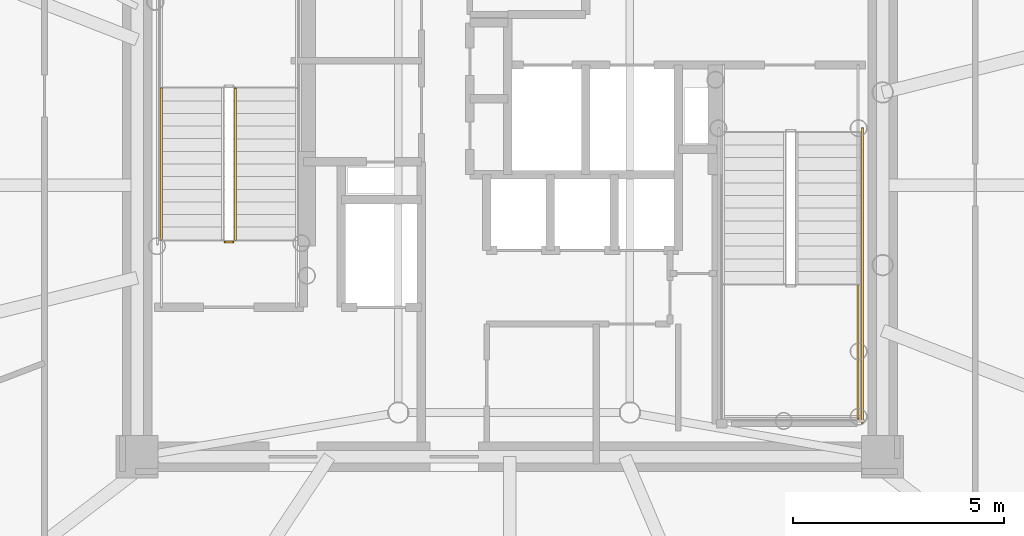
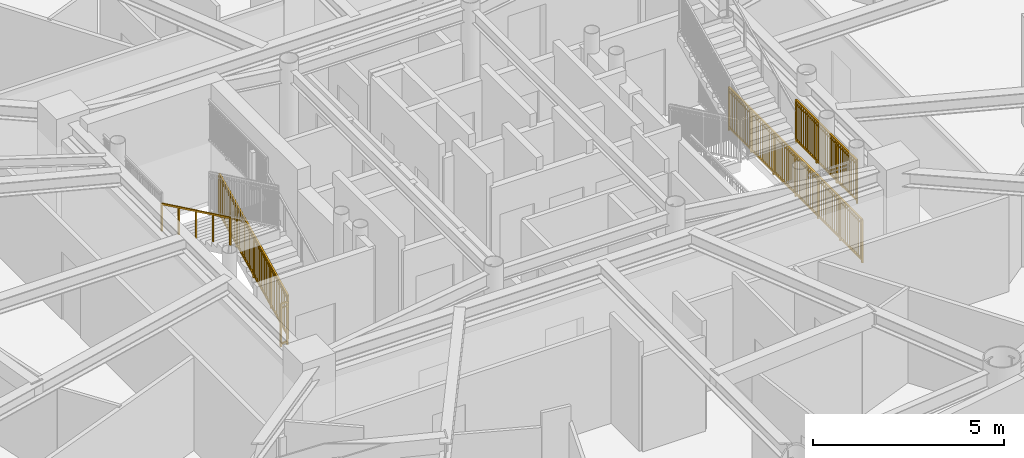
# One storey, part 15 of 20: 5 railings.
"""IFC4 building model written with IfcOpenShell, lengths in metres."""

from ifc_helpers import new_model, si_unit, direction, frame, origin, origin_2d, place, context, subcontext, project, spatial, rectangle, extrude, source, transform, mapped, material, type_object, element, save


model = new_model("IFC4")

# Units and contexts
model_context = context("Model", 3, precision=1e-05, world=origin(), true_north=direction((0.0, 1.0)))
body_context = subcontext(model_context, "Body", "Model", "MODEL_VIEW")
ifc_project = project(units=[si_unit("LENGTHUNIT", "METRE"), si_unit("AREAUNIT", "SQUARE_METRE"), si_unit("VOLUMEUNIT", "CUBIC_METRE"), si_unit("PLANEANGLEUNIT", "RADIAN"), si_unit("MASSUNIT", "GRAM", prefix="KILO")], contexts=[model_context])

# Site, building, storey
site_placement = place(None, origin())
site = spatial("IfcSite", under=ifc_project, at=site_placement, CompositionType="ELEMENT")
building_placement = place(site_placement, origin())
building = spatial("IfcBuilding", under=site, at=building_placement, Name="Linh Dai School and Residence Tower", CompositionType="ELEMENT")
storey_placement = place(building_placement, frame((0.0, 0.0, 288.0)))
storey = spatial("IfcBuildingStorey", under=building, at=storey_placement, Name="L71", CompositionType="ELEMENT", Elevation=288.0)

# Railings
ifc_material_1 = material(Name="Structural Steel S355JR", Category="steel")
railing_type_1 = type_object("IfcRailingType", Name="RL-ST-GUARD-1400", PredefinedType="GUARDRAIL", material=ifc_material_1)
shared_shape_1 = source(origin(), body_context, "Body", "SweptSolid", [
    extrude(rectangle(XDim=0.048095703125, YDim=0.048095703125, at=origin_2d()), frame((0.0, 0.0, 1.3759765625), z_axis=(-1.0, 0.0, 0.0), x_axis=(0.0, -1.0, 0.0)), (0.0, 0.0, 1.0), 0.199951171875),
    extrude(rectangle(XDim=0.048095703125, YDim=0.048095703125, at=origin_2d()), frame((0.0, 0.0, 0.10009765625), z_axis=(-1.0, 0.0, 0.0), x_axis=(0.0, -1.0, 0.0)), (0.0, 0.0, 1.0), 0.199951171875),
    extrude(rectangle(XDim=0.030029296875, YDim=0.030029296875, at=origin_2d()), frame((0.0, 0.0, 1.239990234375), z_axis=(-1.0, 0.0, 0.0), x_axis=(0.0, -1.0, 0.0)), (0.0, 0.0, 1.0), 0.199951171875),
    extrude(rectangle(XDim=0.0419921875, YDim=0.0419921875, at=origin_2d()), origin(), (0.0, 0.0, 1.0), 1.3759765625),
    extrude(rectangle(XDim=0.0419921875, YDim=0.0419921875, at=origin_2d()), frame((-0.199951171875, 0.0, 0.0)), (0.0, 0.0, 1.0), 1.3759765625),
])
railing_1_placement = place(storey_placement, frame((29.429931640625, 25.64990234375, 0.0)))
element("IfcRailing", 1, at=railing_1_placement, inside=storey, type_object=railing_type_1, Name="L71 ST1 stair guard 7", PredefinedType="GUARDRAIL", context=body_context, shape_type="MappedRepresentation", body=[
    mapped(shared_shape_1, transform((0.0, 0.0, 0.0), x_axis=(1.0, 0.0, 0.0), y_axis=(0.0, 1.0, 0.0), z_axis=(0.0, 0.0, 1.0), scale=1.0)),
])
shared_shape_2 = source(origin(), body_context, "Body", "SweptSolid", [
    extrude(rectangle(XDim=0.048095703125, YDim=0.048095703125, at=origin_2d()), frame((0.0, 0.0, 1.3759765625), z_axis=(0.0, 0.901262522062, 0.433273431364), x_axis=(-1.0, 0.0, 0.0)), (0.0, 0.0, 1.0), 3.994384765625),
    extrude(rectangle(XDim=0.048095703125, YDim=0.048095703125, at=origin_2d()), frame((0.0, 0.0, 0.10009765625), z_axis=(0.0, 0.901262522062, 0.433273431364), x_axis=(-1.0, 0.0, 0.0)), (0.0, 0.0, 1.0), 3.994384765625),
    extrude(rectangle(XDim=0.030029296875, YDim=0.030029296875, at=origin_2d()), frame((0.0, 0.0, 1.239990234375), z_axis=(0.0, 0.901262522062, 0.433273431364), x_axis=(-1.0, 0.0, 0.0)), (0.0, 0.0, 1.0), 3.994384765625),
    extrude(rectangle(XDim=0.02001953125, YDim=0.02001953125, at=origin_2d()), frame((0.0, 0.087890625, 0.142333984375)), (0.0, 0.0, 1.0), 1.251708984375),
    extrude(rectangle(XDim=0.02001953125, YDim=0.02001953125, at=origin_2d()), frame((0.0, 0.175537109375, 0.1845703125)), (0.0, 0.0, 1.0), 1.251708984375),
    extrude(rectangle(XDim=0.02001953125, YDim=0.02001953125, at=origin_2d()), frame((0.0, 0.263427734375, 0.226806640625)), (0.0, 0.0, 1.0), 1.251708984375),
    extrude(rectangle(XDim=0.02001953125, YDim=0.02001953125, at=origin_2d()), frame((0.0, 0.351318359375, 0.26904296875)), (0.0, 0.0, 1.0), 1.251708984375),
    extrude(rectangle(XDim=0.02001953125, YDim=0.02001953125, at=origin_2d()), frame((0.0, 0.43896484375, 0.311279296875)), (0.0, 0.0, 1.0), 1.251708984375),
    extrude(rectangle(XDim=0.02001953125, YDim=0.02001953125, at=origin_2d()), frame((0.0, 0.52685546875, 0.353271484375)), (0.0, 0.0, 1.0), 1.251708984375),
    extrude(rectangle(XDim=0.02001953125, YDim=0.02001953125, at=origin_2d()), frame((0.0, 0.61474609375, 0.3955078125)), (0.0, 0.0, 1.0), 1.251708984375),
    extrude(rectangle(XDim=0.02001953125, YDim=0.02001953125, at=origin_2d()), frame((0.0, 0.702392578125, 0.437744140625)), (0.0, 0.0, 1.0), 1.251708984375),
    extrude(rectangle(XDim=0.02001953125, YDim=0.02001953125, at=origin_2d()), frame((0.0, 0.790283203125, 0.47998046875)), (0.0, 0.0, 1.0), 1.251708984375),
    extrude(rectangle(XDim=0.02001953125, YDim=0.02001953125, at=origin_2d()), frame((0.0, 0.9658203125, 0.564453125)), (0.0, 0.0, 1.0), 1.251708984375),
    extrude(rectangle(XDim=0.02001953125, YDim=0.02001953125, at=origin_2d()), frame((0.0, 1.0537109375, 0.606689453125)), (0.0, 0.0, 1.0), 1.251708984375),
    extrude(rectangle(XDim=0.02001953125, YDim=0.02001953125, at=origin_2d()), frame((0.0, 1.1416015625, 0.64892578125)), (0.0, 0.0, 1.0), 1.251708984375),
    extrude(rectangle(XDim=0.02001953125, YDim=0.02001953125, at=origin_2d()), frame((0.0, 1.229248046875, 0.691162109375)), (0.0, 0.0, 1.0), 1.251708984375),
    extrude(rectangle(XDim=0.02001953125, YDim=0.02001953125, at=origin_2d()), frame((0.0, 1.317138671875, 0.7333984375)), (0.0, 0.0, 1.0), 1.251708984375),
    extrude(rectangle(XDim=0.02001953125, YDim=0.02001953125, at=origin_2d()), frame((0.0, 1.405029296875, 0.775390625)), (0.0, 0.0, 1.0), 1.251708984375),
    extrude(rectangle(XDim=0.02001953125, YDim=0.02001953125, at=origin_2d()), frame((0.0, 1.49267578125, 0.817626953125)), (0.0, 0.0, 1.0), 1.251708984375),
    extrude(rectangle(XDim=0.02001953125, YDim=0.02001953125, at=origin_2d()), frame((0.0, 1.58056640625, 0.85986328125)), (0.0, 0.0, 1.0), 1.251708984375),
    extrude(rectangle(XDim=0.02001953125, YDim=0.02001953125, at=origin_2d()), frame((0.0, 1.66845703125, 0.902099609375)), (0.0, 0.0, 1.0), 1.251708984375),
    extrude(rectangle(XDim=0.02001953125, YDim=0.02001953125, at=origin_2d()), frame((0.0, 1.756103515625, 0.9443359375)), (0.0, 0.0, 1.0), 1.251708984375),
    extrude(rectangle(XDim=0.02001953125, YDim=0.02001953125, at=origin_2d()), frame((0.0, 1.843994140625, 0.986572265625)), (0.0, 0.0, 1.0), 1.251708984375),
    extrude(rectangle(XDim=0.02001953125, YDim=0.02001953125, at=origin_2d()), frame((0.0, 1.931640625, 1.02880859375)), (0.0, 0.0, 1.0), 1.251708984375),
    extrude(rectangle(XDim=0.02001953125, YDim=0.02001953125, at=origin_2d()), frame((0.0, 2.01953125, 1.071044921875)), (0.0, 0.0, 1.0), 1.251708984375),
    extrude(rectangle(XDim=0.02001953125, YDim=0.02001953125, at=origin_2d()), frame((0.0, 2.107421875, 1.11328125)), (0.0, 0.0, 1.0), 1.251708984375),
    extrude(rectangle(XDim=0.02001953125, YDim=0.02001953125, at=origin_2d()), frame((0.0, 2.195068359375, 1.155517578125)), (0.0, 0.0, 1.0), 1.251708984375),
    extrude(rectangle(XDim=0.02001953125, YDim=0.02001953125, at=origin_2d()), frame((0.0, 2.282958984375, 1.197509765625)), (0.0, 0.0, 1.0), 1.251708984375),
    extrude(rectangle(XDim=0.02001953125, YDim=0.02001953125, at=origin_2d()), frame((0.0, 2.370849609375, 1.23974609375)), (0.0, 0.0, 1.0), 1.251708984375),
    extrude(rectangle(XDim=0.02001953125, YDim=0.02001953125, at=origin_2d()), frame((0.0, 2.45849609375, 1.281982421875)), (0.0, 0.0, 1.0), 1.251708984375),
    extrude(rectangle(XDim=0.02001953125, YDim=0.02001953125, at=origin_2d()), frame((0.0, 2.54638671875, 1.32421875)), (0.0, 0.0, 1.0), 1.251708984375),
    extrude(rectangle(XDim=0.02001953125, YDim=0.02001953125, at=origin_2d()), frame((0.0, 2.63427734375, 1.366455078125)), (0.0, 0.0, 1.0), 1.251708984375),
    extrude(rectangle(XDim=0.02001953125, YDim=0.02001953125, at=origin_2d()), frame((0.0, 2.809814453125, 1.450927734375)), (0.0, 0.0, 1.0), 1.251708984375),
    extrude(rectangle(XDim=0.02001953125, YDim=0.02001953125, at=origin_2d()), frame((0.0, 2.897705078125, 1.4931640625)), (0.0, 0.0, 1.0), 1.251708984375),
    extrude(rectangle(XDim=0.02001953125, YDim=0.02001953125, at=origin_2d()), frame((0.0, 2.9853515625, 1.535400390625)), (0.0, 0.0, 1.0), 1.251708984375),
    extrude(rectangle(XDim=0.02001953125, YDim=0.02001953125, at=origin_2d()), frame((0.0, 3.0732421875, 1.57763671875)), (0.0, 0.0, 1.0), 1.251708984375),
    extrude(rectangle(XDim=0.02001953125, YDim=0.02001953125, at=origin_2d()), frame((0.0, 3.1611328125, 1.61962890625)), (0.0, 0.0, 1.0), 1.251708984375),
    extrude(rectangle(XDim=0.02001953125, YDim=0.02001953125, at=origin_2d()), frame((0.0, 3.248779296875, 1.661865234375)), (0.0, 0.0, 1.0), 1.251708984375),
    extrude(rectangle(XDim=0.02001953125, YDim=0.02001953125, at=origin_2d()), frame((0.0, 3.336669921875, 1.7041015625)), (0.0, 0.0, 1.0), 1.251708984375),
    extrude(rectangle(XDim=0.02001953125, YDim=0.02001953125, at=origin_2d()), frame((0.0, 3.424560546875, 1.746337890625)), (0.0, 0.0, 1.0), 1.251708984375),
    extrude(rectangle(XDim=0.02001953125, YDim=0.02001953125, at=origin_2d()), frame((0.0, 3.51220703125, 1.78857421875)), (0.0, 0.0, 1.0), 1.251708984375),
    extrude(rectangle(XDim=0.0419921875, YDim=0.0419921875, at=origin_2d()), origin(), (0.0, 0.0, 1.0), 1.3759765625),
    extrude(rectangle(XDim=0.0419921875, YDim=0.0419921875, at=origin_2d()), frame((0.0, 0.89990234375, 0.4326171875)), (0.0, 0.0, 1.0), 1.3759765625),
    extrude(rectangle(XDim=0.0419921875, YDim=0.0419921875, at=origin_2d()), frame((0.0, 1.800048828125, 0.865234375)), (0.0, 0.0, 1.0), 1.3759765625),
    extrude(rectangle(XDim=0.0419921875, YDim=0.0419921875, at=origin_2d()), frame((0.0, 2.7001953125, 1.298095703125)), (0.0, 0.0, 1.0), 1.3759765625),
    extrude(rectangle(XDim=0.0419921875, YDim=0.0419921875, at=origin_2d()), frame((0.0, 3.60009765625, 1.730712890625)), (0.0, 0.0, 1.0), 1.3759765625),
])
railing_2_placement = place(storey_placement, frame((29.47998046875, 25.699951171875, 0.144287109375)))
element("IfcRailing", 2, at=railing_2_placement, inside=storey, type_object=railing_type_1, Name="L71 ST1 stair guard 1", PredefinedType="GUARDRAIL", context=body_context, shape_type="MappedRepresentation", body=[
    mapped(shared_shape_2, transform((0.0, 0.0, 0.0), x_axis=(1.0, 0.0, 0.0), y_axis=(0.0, 1.0, 0.0), z_axis=(0.0, 0.0, 1.0), scale=1.0)),
])
ifc_material_2 = material(Name="Brushed Stainless Steel Handrail", Category="steel")
railing_type_2 = type_object("IfcRailingType", Name="RL-ST-HANDRAIL-900", PredefinedType="HANDRAIL", material=ifc_material_2)
shared_shape_3 = source(origin(), body_context, "Body", "SweptSolid", [
    extrude(rectangle(XDim=0.048095703125, YDim=0.048095703125, at=origin_2d()), frame((0.0, 0.0, 0.8759765625), z_axis=(0.0, -0.901262522062, 0.433273431364), x_axis=(1.0, 0.0, 0.0)), (0.0, 0.0, 1.0), 3.994384765625),
    extrude(rectangle(XDim=0.0419921875, YDim=0.0419921875, at=origin_2d()), origin(), (0.0, 0.0, 1.0), 0.8759765625),
    extrude(rectangle(XDim=0.0419921875, YDim=0.0419921875, at=origin_2d()), frame((0.0, -0.89990234375, 0.4326171875)), (0.0, 0.0, 1.0), 0.8759765625),
    extrude(rectangle(XDim=0.0419921875, YDim=0.0419921875, at=origin_2d()), frame((0.0, -1.800048828125, 0.865234375)), (0.0, 0.0, 1.0), 0.8759765625),
    extrude(rectangle(XDim=0.0419921875, YDim=0.0419921875, at=origin_2d()), frame((0.0, -2.7001953125, 1.298095703125)), (0.0, 0.0, 1.0), 0.8759765625),
    extrude(rectangle(XDim=0.0419921875, YDim=0.0419921875, at=origin_2d()), frame((0.0, -3.60009765625, 1.730712890625)), (0.0, 0.0, 1.0), 0.8759765625),
])
railing_3_placement = place(storey_placement, frame((27.72998046875, 29.300048828125, 2.019287109375)))
element("IfcRailing", 3, at=railing_3_placement, inside=storey, type_object=railing_type_2, Name="L71 ST1 stair handrail 2", PredefinedType="HANDRAIL", context=body_context, shape_type="MappedRepresentation", body=[
    mapped(shared_shape_3, transform((0.0, 0.0, 0.0), x_axis=(1.0, 0.0, 0.0), y_axis=(0.0, 1.0, 0.0), z_axis=(0.0, 0.0, 1.0), scale=1.0)),
])
shared_shape_4 = source(origin(), body_context, "Body", "SweptSolid", [
    extrude(rectangle(XDim=0.048095703125, YDim=0.048095703125, at=origin_2d()), frame((0.0, 0.0, 1.3759765625), z_axis=(0.0, -1.0, 0.0), x_axis=(1.0, 0.0, 0.0)), (0.0, 0.0, 1.0), 7.0),
    extrude(rectangle(XDim=0.048095703125, YDim=0.048095703125, at=origin_2d()), frame((0.0, 0.0, 0.10009765625), z_axis=(0.0, -1.0, 0.0), x_axis=(1.0, 0.0, 0.0)), (0.0, 0.0, 1.0), 7.0),
    extrude(rectangle(XDim=0.030029296875, YDim=0.030029296875, at=origin_2d()), frame((0.0, 0.0, 1.239990234375), z_axis=(0.0, -1.0, 0.0), x_axis=(1.0, 0.0, 0.0)), (0.0, 0.0, 1.0), 7.0),
    extrude(rectangle(XDim=0.02001953125, YDim=0.02001953125, at=origin_2d()), frame((0.0, -0.09716796875, 0.10009765625)), (0.0, 0.0, 1.0), 1.251708984375),
    extrude(rectangle(XDim=0.02001953125, YDim=0.02001953125, at=origin_2d()), frame((0.0, -0.1943359375, 0.10009765625)), (0.0, 0.0, 1.0), 1.251708984375),
    extrude(rectangle(XDim=0.02001953125, YDim=0.02001953125, at=origin_2d()), frame((0.0, -0.291748046875, 0.10009765625)), (0.0, 0.0, 1.0), 1.251708984375),
    extrude(rectangle(XDim=0.02001953125, YDim=0.02001953125, at=origin_2d()), frame((0.0, -0.388916015625, 0.10009765625)), (0.0, 0.0, 1.0), 1.251708984375),
    extrude(rectangle(XDim=0.02001953125, YDim=0.02001953125, at=origin_2d()), frame((0.0, -0.486083984375, 0.10009765625)), (0.0, 0.0, 1.0), 1.251708984375),
    extrude(rectangle(XDim=0.02001953125, YDim=0.02001953125, at=origin_2d()), frame((0.0, -0.583251953125, 0.10009765625)), (0.0, 0.0, 1.0), 1.251708984375),
    extrude(rectangle(XDim=0.02001953125, YDim=0.02001953125, at=origin_2d()), frame((0.0, -0.6806640625, 0.10009765625)), (0.0, 0.0, 1.0), 1.251708984375),
    extrude(rectangle(XDim=0.02001953125, YDim=0.02001953125, at=origin_2d()), frame((0.0, -0.77783203125, 0.10009765625)), (0.0, 0.0, 1.0), 1.251708984375),
    extrude(rectangle(XDim=0.02001953125, YDim=0.02001953125, at=origin_2d()), frame((0.0, -0.875, 0.10009765625)), (0.0, 0.0, 1.0), 1.251708984375),
    extrude(rectangle(XDim=0.02001953125, YDim=0.02001953125, at=origin_2d()), frame((0.0, -0.97216796875, 0.10009765625)), (0.0, 0.0, 1.0), 1.251708984375),
    extrude(rectangle(XDim=0.02001953125, YDim=0.02001953125, at=origin_2d()), frame((0.0, -1.0693359375, 0.10009765625)), (0.0, 0.0, 1.0), 1.251708984375),
    extrude(rectangle(XDim=0.02001953125, YDim=0.02001953125, at=origin_2d()), frame((0.0, -1.263916015625, 0.10009765625)), (0.0, 0.0, 1.0), 1.251708984375),
    extrude(rectangle(XDim=0.02001953125, YDim=0.02001953125, at=origin_2d()), frame((0.0, -1.361083984375, 0.10009765625)), (0.0, 0.0, 1.0), 1.251708984375),
    extrude(rectangle(XDim=0.02001953125, YDim=0.02001953125, at=origin_2d()), frame((0.0, -1.458251953125, 0.10009765625)), (0.0, 0.0, 1.0), 1.251708984375),
    extrude(rectangle(XDim=0.02001953125, YDim=0.02001953125, at=origin_2d()), frame((0.0, -1.5556640625, 0.10009765625)), (0.0, 0.0, 1.0), 1.251708984375),
    extrude(rectangle(XDim=0.02001953125, YDim=0.02001953125, at=origin_2d()), frame((0.0, -1.65283203125, 0.10009765625)), (0.0, 0.0, 1.0), 1.251708984375),
    extrude(rectangle(XDim=0.02001953125, YDim=0.02001953125, at=origin_2d()), frame((0.0, -1.75, 0.10009765625)), (0.0, 0.0, 1.0), 1.251708984375),
    extrude(rectangle(XDim=0.02001953125, YDim=0.02001953125, at=origin_2d()), frame((0.0, -1.84716796875, 0.10009765625)), (0.0, 0.0, 1.0), 1.251708984375),
    extrude(rectangle(XDim=0.02001953125, YDim=0.02001953125, at=origin_2d()), frame((0.0, -1.9443359375, 0.10009765625)), (0.0, 0.0, 1.0), 1.251708984375),
    extrude(rectangle(XDim=0.02001953125, YDim=0.02001953125, at=origin_2d()), frame((0.0, -2.041748046875, 0.10009765625)), (0.0, 0.0, 1.0), 1.251708984375),
    extrude(rectangle(XDim=0.02001953125, YDim=0.02001953125, at=origin_2d()), frame((0.0, -2.138916015625, 0.10009765625)), (0.0, 0.0, 1.0), 1.251708984375),
    extrude(rectangle(XDim=0.02001953125, YDim=0.02001953125, at=origin_2d()), frame((0.0, -2.236083984375, 0.10009765625)), (0.0, 0.0, 1.0), 1.251708984375),
    extrude(rectangle(XDim=0.02001953125, YDim=0.02001953125, at=origin_2d()), frame((0.0, -2.4306640625, 0.10009765625)), (0.0, 0.0, 1.0), 1.251708984375),
    extrude(rectangle(XDim=0.02001953125, YDim=0.02001953125, at=origin_2d()), frame((0.0, -2.52783203125, 0.10009765625)), (0.0, 0.0, 1.0), 1.251708984375),
    extrude(rectangle(XDim=0.02001953125, YDim=0.02001953125, at=origin_2d()), frame((0.0, -2.625, 0.10009765625)), (0.0, 0.0, 1.0), 1.251708984375),
    extrude(rectangle(XDim=0.02001953125, YDim=0.02001953125, at=origin_2d()), frame((0.0, -2.72216796875, 0.10009765625)), (0.0, 0.0, 1.0), 1.251708984375),
    extrude(rectangle(XDim=0.02001953125, YDim=0.02001953125, at=origin_2d()), frame((0.0, -2.8193359375, 0.10009765625)), (0.0, 0.0, 1.0), 1.251708984375),
    extrude(rectangle(XDim=0.02001953125, YDim=0.02001953125, at=origin_2d()), frame((0.0, -2.916748046875, 0.10009765625)), (0.0, 0.0, 1.0), 1.251708984375),
    extrude(rectangle(XDim=0.02001953125, YDim=0.02001953125, at=origin_2d()), frame((0.0, -3.013916015625, 0.10009765625)), (0.0, 0.0, 1.0), 1.251708984375),
    extrude(rectangle(XDim=0.02001953125, YDim=0.02001953125, at=origin_2d()), frame((0.0, -3.111083984375, 0.10009765625)), (0.0, 0.0, 1.0), 1.251708984375),
    extrude(rectangle(XDim=0.02001953125, YDim=0.02001953125, at=origin_2d()), frame((0.0, -3.208251953125, 0.10009765625)), (0.0, 0.0, 1.0), 1.251708984375),
    extrude(rectangle(XDim=0.02001953125, YDim=0.02001953125, at=origin_2d()), frame((0.0, -3.3056640625, 0.10009765625)), (0.0, 0.0, 1.0), 1.251708984375),
    extrude(rectangle(XDim=0.02001953125, YDim=0.02001953125, at=origin_2d()), frame((0.0, -3.40283203125, 0.10009765625)), (0.0, 0.0, 1.0), 1.251708984375),
    extrude(rectangle(XDim=0.02001953125, YDim=0.02001953125, at=origin_2d()), frame((0.0, -3.59716796875, 0.10009765625)), (0.0, 0.0, 1.0), 1.251708984375),
    extrude(rectangle(XDim=0.02001953125, YDim=0.02001953125, at=origin_2d()), frame((0.0, -3.6943359375, 0.10009765625)), (0.0, 0.0, 1.0), 1.251708984375),
    extrude(rectangle(XDim=0.02001953125, YDim=0.02001953125, at=origin_2d()), frame((0.0, -3.791748046875, 0.10009765625)), (0.0, 0.0, 1.0), 1.251708984375),
    extrude(rectangle(XDim=0.02001953125, YDim=0.02001953125, at=origin_2d()), frame((0.0, -3.888916015625, 0.10009765625)), (0.0, 0.0, 1.0), 1.251708984375),
    extrude(rectangle(XDim=0.02001953125, YDim=0.02001953125, at=origin_2d()), frame((0.0, -3.986083984375, 0.10009765625)), (0.0, 0.0, 1.0), 1.251708984375),
    extrude(rectangle(XDim=0.02001953125, YDim=0.02001953125, at=origin_2d()), frame((0.0, -4.083251953125, 0.10009765625)), (0.0, 0.0, 1.0), 1.251708984375),
    extrude(rectangle(XDim=0.02001953125, YDim=0.02001953125, at=origin_2d()), frame((0.0, -4.1806640625, 0.10009765625)), (0.0, 0.0, 1.0), 1.251708984375),
    extrude(rectangle(XDim=0.02001953125, YDim=0.02001953125, at=origin_2d()), frame((0.0, -4.27783203125, 0.10009765625)), (0.0, 0.0, 1.0), 1.251708984375),
    extrude(rectangle(XDim=0.02001953125, YDim=0.02001953125, at=origin_2d()), frame((0.0, -4.375, 0.10009765625)), (0.0, 0.0, 1.0), 1.251708984375),
    extrude(rectangle(XDim=0.02001953125, YDim=0.02001953125, at=origin_2d()), frame((0.0, -4.47216796875, 0.10009765625)), (0.0, 0.0, 1.0), 1.251708984375),
    extrude(rectangle(XDim=0.02001953125, YDim=0.02001953125, at=origin_2d()), frame((0.0, -4.5693359375, 0.10009765625)), (0.0, 0.0, 1.0), 1.251708984375),
    extrude(rectangle(XDim=0.02001953125, YDim=0.02001953125, at=origin_2d()), frame((0.0, -4.763916015625, 0.10009765625)), (0.0, 0.0, 1.0), 1.251708984375),
    extrude(rectangle(XDim=0.02001953125, YDim=0.02001953125, at=origin_2d()), frame((0.0, -4.861083984375, 0.10009765625)), (0.0, 0.0, 1.0), 1.251708984375),
    extrude(rectangle(XDim=0.02001953125, YDim=0.02001953125, at=origin_2d()), frame((0.0, -4.958251953125, 0.10009765625)), (0.0, 0.0, 1.0), 1.251708984375),
    extrude(rectangle(XDim=0.02001953125, YDim=0.02001953125, at=origin_2d()), frame((0.0, -5.0556640625, 0.10009765625)), (0.0, 0.0, 1.0), 1.251708984375),
    extrude(rectangle(XDim=0.02001953125, YDim=0.02001953125, at=origin_2d()), frame((0.0, -5.15283203125, 0.10009765625)), (0.0, 0.0, 1.0), 1.251708984375),
    extrude(rectangle(XDim=0.02001953125, YDim=0.02001953125, at=origin_2d()), frame((0.0, -5.25, 0.10009765625)), (0.0, 0.0, 1.0), 1.251708984375),
    extrude(rectangle(XDim=0.02001953125, YDim=0.02001953125, at=origin_2d()), frame((0.0, -5.34716796875, 0.10009765625)), (0.0, 0.0, 1.0), 1.251708984375),
    extrude(rectangle(XDim=0.02001953125, YDim=0.02001953125, at=origin_2d()), frame((0.0, -5.4443359375, 0.10009765625)), (0.0, 0.0, 1.0), 1.251708984375),
    extrude(rectangle(XDim=0.02001953125, YDim=0.02001953125, at=origin_2d()), frame((0.0, -5.541748046875, 0.10009765625)), (0.0, 0.0, 1.0), 1.251708984375),
    extrude(rectangle(XDim=0.02001953125, YDim=0.02001953125, at=origin_2d()), frame((0.0, -5.638916015625, 0.10009765625)), (0.0, 0.0, 1.0), 1.251708984375),
    extrude(rectangle(XDim=0.02001953125, YDim=0.02001953125, at=origin_2d()), frame((0.0, -5.736083984375, 0.10009765625)), (0.0, 0.0, 1.0), 1.251708984375),
    extrude(rectangle(XDim=0.02001953125, YDim=0.02001953125, at=origin_2d()), frame((0.0, -5.9306640625, 0.10009765625)), (0.0, 0.0, 1.0), 1.251708984375),
    extrude(rectangle(XDim=0.02001953125, YDim=0.02001953125, at=origin_2d()), frame((0.0, -6.02783203125, 0.10009765625)), (0.0, 0.0, 1.0), 1.251708984375),
    extrude(rectangle(XDim=0.02001953125, YDim=0.02001953125, at=origin_2d()), frame((0.0, -6.125, 0.10009765625)), (0.0, 0.0, 1.0), 1.251708984375),
    extrude(rectangle(XDim=0.02001953125, YDim=0.02001953125, at=origin_2d()), frame((0.0, -6.22216796875, 0.10009765625)), (0.0, 0.0, 1.0), 1.251708984375),
    extrude(rectangle(XDim=0.02001953125, YDim=0.02001953125, at=origin_2d()), frame((0.0, -6.3193359375, 0.10009765625)), (0.0, 0.0, 1.0), 1.251708984375),
    extrude(rectangle(XDim=0.02001953125, YDim=0.02001953125, at=origin_2d()), frame((0.0, -6.416748046875, 0.10009765625)), (0.0, 0.0, 1.0), 1.251708984375),
    extrude(rectangle(XDim=0.02001953125, YDim=0.02001953125, at=origin_2d()), frame((0.0, -6.513916015625, 0.10009765625)), (0.0, 0.0, 1.0), 1.251708984375),
    extrude(rectangle(XDim=0.02001953125, YDim=0.02001953125, at=origin_2d()), frame((0.0, -6.611083984375, 0.10009765625)), (0.0, 0.0, 1.0), 1.251708984375),
    extrude(rectangle(XDim=0.02001953125, YDim=0.02001953125, at=origin_2d()), frame((0.0, -6.708251953125, 0.10009765625)), (0.0, 0.0, 1.0), 1.251708984375),
    extrude(rectangle(XDim=0.02001953125, YDim=0.02001953125, at=origin_2d()), frame((0.0, -6.8056640625, 0.10009765625)), (0.0, 0.0, 1.0), 1.251708984375),
    extrude(rectangle(XDim=0.02001953125, YDim=0.02001953125, at=origin_2d()), frame((0.0, -6.90283203125, 0.10009765625)), (0.0, 0.0, 1.0), 1.251708984375),
    extrude(rectangle(XDim=0.0419921875, YDim=0.0419921875, at=origin_2d()), origin(), (0.0, 0.0, 1.0), 1.3759765625),
    extrude(rectangle(XDim=0.0419921875, YDim=0.0419921875, at=origin_2d()), frame((0.0, -1.166748046875, 0.0)), (0.0, 0.0, 1.0), 1.3759765625),
    extrude(rectangle(XDim=0.0419921875, YDim=0.0419921875, at=origin_2d()), frame((0.0, -2.333251953125, 0.0)), (0.0, 0.0, 1.0), 1.3759765625),
    extrude(rectangle(XDim=0.0419921875, YDim=0.0419921875, at=origin_2d()), frame((0.0, -3.5, 0.0)), (0.0, 0.0, 1.0), 1.3759765625),
    extrude(rectangle(XDim=0.0419921875, YDim=0.0419921875, at=origin_2d()), frame((0.0, -4.666748046875, 0.0)), (0.0, 0.0, 1.0), 1.3759765625),
    extrude(rectangle(XDim=0.0419921875, YDim=0.0419921875, at=origin_2d()), frame((0.0, -5.833251953125, 0.0)), (0.0, 0.0, 1.0), 1.3759765625),
    extrude(rectangle(XDim=0.0419921875, YDim=0.0419921875, at=origin_2d()), frame((0.0, -7.0, 0.0)), (0.0, 0.0, 1.0), 1.3759765625),
])
railing_4_placement = place(storey_placement, frame((44.3701171875, 28.35009765625, 0.0)))
element("IfcRailing", 4, at=railing_4_placement, inside=storey, type_object=railing_type_1, Name="L71 ST2 stair guard 11", PredefinedType="GUARDRAIL", context=body_context, shape_type="MappedRepresentation", body=[
    mapped(shared_shape_4, transform((0.0, 0.0, 0.0), x_axis=(1.0, 0.0, 0.0), y_axis=(0.0, 1.0, 0.0), z_axis=(0.0, 0.0, 1.0), scale=1.0)),
])
shared_shape_5 = source(origin(), body_context, "Body", "SweptSolid", [
    extrude(rectangle(XDim=0.048095703125, YDim=0.048095703125, at=origin_2d()), frame((0.0, 0.0, 1.3759765625), z_axis=(0.0, -1.0, 0.0), x_axis=(1.0, 0.0, 0.0)), (0.0, 0.0, 1.0), 3.199951171875),
    extrude(rectangle(XDim=0.048095703125, YDim=0.048095703125, at=origin_2d()), frame((0.0, 0.0, 0.10009765625), z_axis=(0.0, -1.0, 0.0), x_axis=(1.0, 0.0, 0.0)), (0.0, 0.0, 1.0), 3.199951171875),
    extrude(rectangle(XDim=0.030029296875, YDim=0.030029296875, at=origin_2d()), frame((0.0, 0.0, 1.239990234375), z_axis=(0.0, -1.0, 0.0), x_axis=(1.0, 0.0, 0.0)), (0.0, 0.0, 1.0), 3.199951171875),
    extrude(rectangle(XDim=0.02001953125, YDim=0.02001953125, at=origin_2d()), frame((0.0, -0.096923828125, 0.10009765625)), (0.0, 0.0, 1.0), 1.251708984375),
    extrude(rectangle(XDim=0.02001953125, YDim=0.02001953125, at=origin_2d()), frame((0.0, -0.19384765625, 0.10009765625)), (0.0, 0.0, 1.0), 1.251708984375),
    extrude(rectangle(XDim=0.02001953125, YDim=0.02001953125, at=origin_2d()), frame((0.0, -0.291015625, 0.10009765625)), (0.0, 0.0, 1.0), 1.251708984375),
    extrude(rectangle(XDim=0.02001953125, YDim=0.02001953125, at=origin_2d()), frame((0.0, -0.387939453125, 0.10009765625)), (0.0, 0.0, 1.0), 1.251708984375),
    extrude(rectangle(XDim=0.02001953125, YDim=0.02001953125, at=origin_2d()), frame((0.0, -0.48486328125, 0.10009765625)), (0.0, 0.0, 1.0), 1.251708984375),
    extrude(rectangle(XDim=0.02001953125, YDim=0.02001953125, at=origin_2d()), frame((0.0, -0.581787109375, 0.10009765625)), (0.0, 0.0, 1.0), 1.251708984375),
    extrude(rectangle(XDim=0.02001953125, YDim=0.02001953125, at=origin_2d()), frame((0.0, -0.6787109375, 0.10009765625)), (0.0, 0.0, 1.0), 1.251708984375),
    extrude(rectangle(XDim=0.02001953125, YDim=0.02001953125, at=origin_2d()), frame((0.0, -0.775634765625, 0.10009765625)), (0.0, 0.0, 1.0), 1.251708984375),
    extrude(rectangle(XDim=0.02001953125, YDim=0.02001953125, at=origin_2d()), frame((0.0, -0.872802734375, 0.10009765625)), (0.0, 0.0, 1.0), 1.251708984375),
    extrude(rectangle(XDim=0.02001953125, YDim=0.02001953125, at=origin_2d()), frame((0.0, -0.9697265625, 0.10009765625)), (0.0, 0.0, 1.0), 1.251708984375),
    extrude(rectangle(XDim=0.02001953125, YDim=0.02001953125, at=origin_2d()), frame((0.0, -1.16357421875, 0.10009765625)), (0.0, 0.0, 1.0), 1.251708984375),
    extrude(rectangle(XDim=0.02001953125, YDim=0.02001953125, at=origin_2d()), frame((0.0, -1.260498046875, 0.10009765625)), (0.0, 0.0, 1.0), 1.251708984375),
    extrude(rectangle(XDim=0.02001953125, YDim=0.02001953125, at=origin_2d()), frame((0.0, -1.357666015625, 0.10009765625)), (0.0, 0.0, 1.0), 1.251708984375),
    extrude(rectangle(XDim=0.02001953125, YDim=0.02001953125, at=origin_2d()), frame((0.0, -1.45458984375, 0.10009765625)), (0.0, 0.0, 1.0), 1.251708984375),
    extrude(rectangle(XDim=0.02001953125, YDim=0.02001953125, at=origin_2d()), frame((0.0, -1.551513671875, 0.10009765625)), (0.0, 0.0, 1.0), 1.251708984375),
    extrude(rectangle(XDim=0.02001953125, YDim=0.02001953125, at=origin_2d()), frame((0.0, -1.6484375, 0.10009765625)), (0.0, 0.0, 1.0), 1.251708984375),
    extrude(rectangle(XDim=0.02001953125, YDim=0.02001953125, at=origin_2d()), frame((0.0, -1.745361328125, 0.10009765625)), (0.0, 0.0, 1.0), 1.251708984375),
    extrude(rectangle(XDim=0.02001953125, YDim=0.02001953125, at=origin_2d()), frame((0.0, -1.84228515625, 0.10009765625)), (0.0, 0.0, 1.0), 1.251708984375),
    extrude(rectangle(XDim=0.02001953125, YDim=0.02001953125, at=origin_2d()), frame((0.0, -1.939453125, 0.10009765625)), (0.0, 0.0, 1.0), 1.251708984375),
    extrude(rectangle(XDim=0.02001953125, YDim=0.02001953125, at=origin_2d()), frame((0.0, -2.036376953125, 0.10009765625)), (0.0, 0.0, 1.0), 1.251708984375),
    extrude(rectangle(XDim=0.02001953125, YDim=0.02001953125, at=origin_2d()), frame((0.0, -2.230224609375, 0.10009765625)), (0.0, 0.0, 1.0), 1.251708984375),
    extrude(rectangle(XDim=0.02001953125, YDim=0.02001953125, at=origin_2d()), frame((0.0, -2.3271484375, 0.10009765625)), (0.0, 0.0, 1.0), 1.251708984375),
    extrude(rectangle(XDim=0.02001953125, YDim=0.02001953125, at=origin_2d()), frame((0.0, -2.42431640625, 0.10009765625)), (0.0, 0.0, 1.0), 1.251708984375),
    extrude(rectangle(XDim=0.02001953125, YDim=0.02001953125, at=origin_2d()), frame((0.0, -2.521240234375, 0.10009765625)), (0.0, 0.0, 1.0), 1.251708984375),
    extrude(rectangle(XDim=0.02001953125, YDim=0.02001953125, at=origin_2d()), frame((0.0, -2.6181640625, 0.10009765625)), (0.0, 0.0, 1.0), 1.251708984375),
    extrude(rectangle(XDim=0.02001953125, YDim=0.02001953125, at=origin_2d()), frame((0.0, -2.715087890625, 0.10009765625)), (0.0, 0.0, 1.0), 1.251708984375),
    extrude(rectangle(XDim=0.02001953125, YDim=0.02001953125, at=origin_2d()), frame((0.0, -2.81201171875, 0.10009765625)), (0.0, 0.0, 1.0), 1.251708984375),
    extrude(rectangle(XDim=0.02001953125, YDim=0.02001953125, at=origin_2d()), frame((0.0, -2.908935546875, 0.10009765625)), (0.0, 0.0, 1.0), 1.251708984375),
    extrude(rectangle(XDim=0.02001953125, YDim=0.02001953125, at=origin_2d()), frame((0.0, -3.006103515625, 0.10009765625)), (0.0, 0.0, 1.0), 1.251708984375),
    extrude(rectangle(XDim=0.02001953125, YDim=0.02001953125, at=origin_2d()), frame((0.0, -3.10302734375, 0.10009765625)), (0.0, 0.0, 1.0), 1.251708984375),
    extrude(rectangle(XDim=0.0419921875, YDim=0.0419921875, at=origin_2d()), origin(), (0.0, 0.0, 1.0), 1.3759765625),
    extrude(rectangle(XDim=0.0419921875, YDim=0.0419921875, at=origin_2d()), frame((0.0, -1.066650390625, 0.0)), (0.0, 0.0, 1.0), 1.3759765625),
    extrude(rectangle(XDim=0.0419921875, YDim=0.0419921875, at=origin_2d()), frame((0.0, -2.13330078125, 0.0)), (0.0, 0.0, 1.0), 1.3759765625),
    extrude(rectangle(XDim=0.0419921875, YDim=0.0419921875, at=origin_2d()), frame((0.0, -3.199951171875, 0.0)), (0.0, 0.0, 1.0), 1.3759765625),
])
railing_5_placement = place(storey_placement, frame((44.27001953125, 24.64990234375, 1.875)))
element("IfcRailing", 5, at=railing_5_placement, inside=storey, type_object=railing_type_1, Name="L71 ST2 stair guard 4", PredefinedType="GUARDRAIL", context=body_context, shape_type="MappedRepresentation", body=[
    mapped(shared_shape_5, transform((0.0, 0.0, 0.0), x_axis=(1.0, 0.0, 0.0), y_axis=(0.0, 1.0, 0.0), z_axis=(0.0, 0.0, 1.0), scale=1.0)),
])

save(model, "model.ifc")
